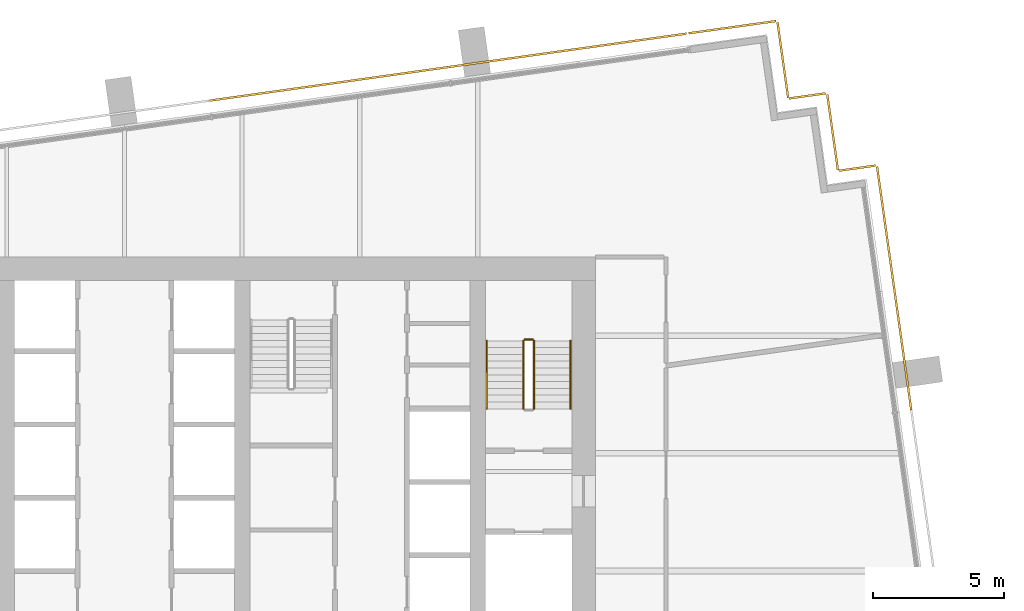
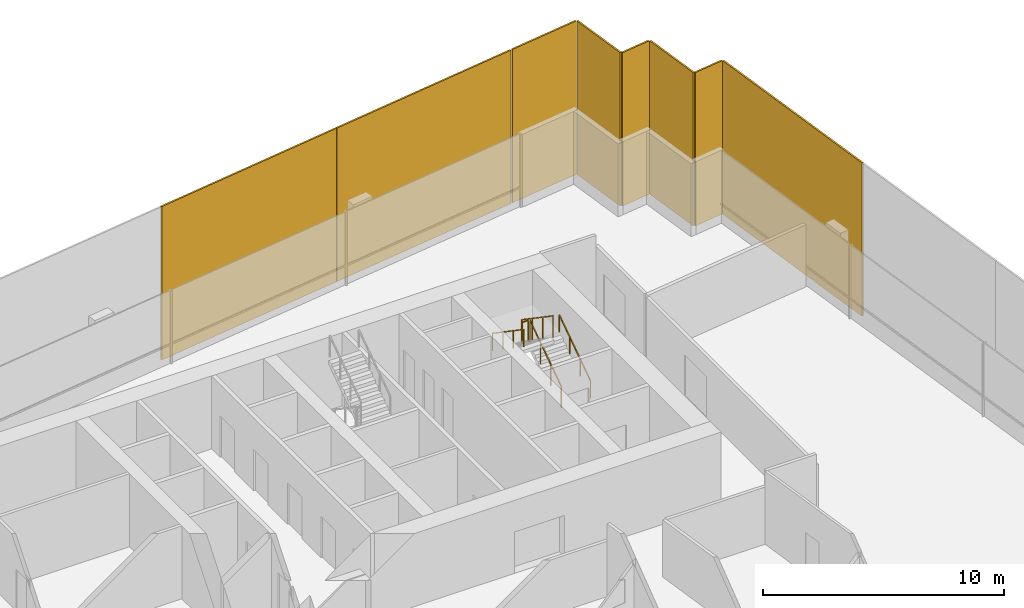
# One storey, part 17 of 17: 8 coverings, 5 railings.
"""IFC4 building model written with IfcOpenShell, lengths in metres."""

from ifc_helpers import new_model, si_unit, direction, frame, origin, origin_2d, place, context, subcontext, project, spatial, rectangle, extrude, material, layer, layer_set, type_object, element, save


model = new_model("IFC4")

# Units and contexts
model_context = context("Model", 3, precision=1e-05, world=origin(), true_north=direction((0.0, 1.0)))
body_context = subcontext(model_context, "Body", "Model", "MODEL_VIEW")
ifc_project = project(units=[si_unit("LENGTHUNIT", "METRE"), si_unit("AREAUNIT", "SQUARE_METRE"), si_unit("VOLUMEUNIT", "CUBIC_METRE"), si_unit("PLANEANGLEUNIT", "RADIAN"), si_unit("MASSUNIT", "GRAM", prefix="KILO")], contexts=[model_context])

# Site, building, storey
site_placement = place(None, origin())
site = spatial("IfcSite", under=ifc_project, at=site_placement, CompositionType="ELEMENT")
building_placement = place(site_placement, origin())
building = spatial("IfcBuilding", under=site, at=building_placement, Name="Rattan Terrace Tower", CompositionType="ELEMENT")
storey_placement = place(building_placement, frame((0.0, 0.0, 213.5)))
storey = spatial("IfcBuildingStorey", under=building, at=storey_placement, Name="L48", CompositionType="ELEMENT", Elevation=213.5)

# Railings
ifc_material_1 = material(Name="Powder-coated steel guard", Category="steel")
railing_type_1 = type_object("IfcRailingType", Name="Core stair guard", PredefinedType="GUARDRAIL", material=ifc_material_1)
railing_1_placement = place(storey_placement, frame((15.64990234375, 1.699951171875, 0.17724609375)))
element("IfcRailing", 1, at=railing_1_placement, inside=storey, type_object=railing_type_1, Name="L48 S2 stair guard 1", PredefinedType="GUARDRAIL", context=body_context, shape_type="SweptSolid", body=[
    extrude(rectangle(XDim=0.048095703125, YDim=0.048095703125, at=origin_2d()), frame((0.0, 0.0, 1.076171875), z_axis=(0.0, 0.826240473404, 0.563317565952), x_axis=(-1.0, 0.0, 0.0)), (0.0, 0.0, 1.0), 3.14697265625),
    extrude(rectangle(XDim=0.0419921875, YDim=0.0419921875, at=origin_2d()), origin(), (0.0, 0.0, 1.0), 1.052001953125),
    extrude(rectangle(XDim=0.0419921875, YDim=0.0419921875, at=origin_2d()), frame((0.0, 0.86669921875, 0.5908203125)), (0.0, 0.0, 1.0), 1.052001953125),
    extrude(rectangle(XDim=0.0419921875, YDim=0.0419921875, at=origin_2d()), frame((0.0, 1.7333984375, 1.181884765625)), (0.0, 0.0, 1.0), 1.052001953125),
    extrude(rectangle(XDim=0.0419921875, YDim=0.0419921875, at=origin_2d()), frame((0.0, 2.60009765625, 1.772705078125)), (0.0, 0.0, 1.0), 1.052001953125),
])
railing_2_placement = place(storey_placement, frame((15.60009765625, 4.35009765625, 1.949951171875)))
element("IfcRailing", 2, at=railing_2_placement, inside=storey, type_object=railing_type_1, Name="L48 S2 stair guard 2", PredefinedType="GUARDRAIL", context=body_context, shape_type="SweptSolid", body=[
    extrude(rectangle(XDim=0.048095703125, YDim=0.048095703125, at=origin_2d()), frame((0.0, 0.0, 1.076171875), z_axis=(-1.0, 0.0, 0.0), x_axis=(0.0, -1.0, 0.0)), (0.0, 0.0, 1.0), 0.300048828125),
    extrude(rectangle(XDim=0.0419921875, YDim=0.0419921875, at=origin_2d()), origin(), (0.0, 0.0, 1.0), 1.052001953125),
    extrude(rectangle(XDim=0.0419921875, YDim=0.0419921875, at=origin_2d()), frame((-0.300048828125, 0.0, 0.0)), (0.0, 0.0, 1.0), 1.052001953125),
])
railing_3_placement = place(storey_placement, frame((15.25, 4.300048828125, 2.127197265625)))
element("IfcRailing", 3, at=railing_3_placement, inside=storey, type_object=railing_type_1, Name="L48 S2 stair guard 3", PredefinedType="GUARDRAIL", context=body_context, shape_type="SweptSolid", body=[
    extrude(rectangle(XDim=0.048095703125, YDim=0.048095703125, at=origin_2d()), frame((0.0, 0.0, 1.076171875), z_axis=(0.0, -0.826240473404, 0.563317565952), x_axis=(1.0, 0.0, 0.0)), (0.0, 0.0, 1.0), 3.14697265625),
    extrude(rectangle(XDim=0.0419921875, YDim=0.0419921875, at=origin_2d()), origin(), (0.0, 0.0, 1.0), 1.052001953125),
    extrude(rectangle(XDim=0.0419921875, YDim=0.0419921875, at=origin_2d()), frame((0.0, -0.86669921875, 0.5908203125)), (0.0, 0.0, 1.0), 1.052001953125),
    extrude(rectangle(XDim=0.0419921875, YDim=0.0419921875, at=origin_2d()), frame((0.0, -1.7333984375, 1.181884765625)), (0.0, 0.0, 1.0), 1.052001953125),
    extrude(rectangle(XDim=0.0419921875, YDim=0.0419921875, at=origin_2d()), frame((0.0, -2.60009765625, 1.772705078125)), (0.0, 0.0, 1.0), 1.052001953125),
])
ifc_material_2 = material(Name="Powder-coated steel handrail", Category="steel")
railing_type_2 = type_object("IfcRailingType", Name="Core stair handrail", PredefinedType="HANDRAIL", material=ifc_material_2)
railing_4_placement = place(storey_placement, frame((17.050048828125, 1.699951171875, 0.17724609375)))
element("IfcRailing", 4, at=railing_4_placement, inside=storey, type_object=railing_type_2, Name="L48 S2 stair handrail 1", PredefinedType="HANDRAIL", context=body_context, shape_type="SweptSolid", body=[
    extrude(rectangle(XDim=0.048095703125, YDim=0.048095703125, at=origin_2d()), frame((0.0, 0.0, 0.8759765625), z_axis=(0.0, 0.826240473404, 0.563317565952), x_axis=(-1.0, 0.0, 0.0)), (0.0, 0.0, 1.0), 3.14697265625),
    extrude(rectangle(XDim=0.0419921875, YDim=0.0419921875, at=origin_2d()), origin(), (0.0, 0.0, 1.0), 0.851806640625),
    extrude(rectangle(XDim=0.0419921875, YDim=0.0419921875, at=origin_2d()), frame((0.0, 0.86669921875, 0.5908203125)), (0.0, 0.0, 1.0), 0.851806640625),
    extrude(rectangle(XDim=0.0419921875, YDim=0.0419921875, at=origin_2d()), frame((0.0, 1.7333984375, 1.181884765625)), (0.0, 0.0, 1.0), 0.851806640625),
    extrude(rectangle(XDim=0.0419921875, YDim=0.0419921875, at=origin_2d()), frame((0.0, 2.60009765625, 1.772705078125)), (0.0, 0.0, 1.0), 0.851806640625),
])
railing_5_placement = place(storey_placement, frame((13.85009765625, 4.300048828125, 2.127197265625)))
element("IfcRailing", 5, at=railing_5_placement, inside=storey, type_object=railing_type_2, Name="L48 S2 stair handrail 2", PredefinedType="HANDRAIL", context=body_context, shape_type="SweptSolid", body=[
    extrude(rectangle(XDim=0.048095703125, YDim=0.048095703125, at=origin_2d()), frame((0.0, 0.0, 0.8759765625), z_axis=(0.0, -0.826240473404, 0.563317565952), x_axis=(1.0, 0.0, 0.0)), (0.0, 0.0, 1.0), 3.14697265625),
    extrude(rectangle(XDim=0.0419921875, YDim=0.0419921875, at=origin_2d()), origin(), (0.0, 0.0, 1.0), 0.851806640625),
    extrude(rectangle(XDim=0.0419921875, YDim=0.0419921875, at=origin_2d()), frame((0.0, -0.86669921875, 0.5908203125)), (0.0, 0.0, 1.0), 0.851806640625),
    extrude(rectangle(XDim=0.0419921875, YDim=0.0419921875, at=origin_2d()), frame((0.0, -1.7333984375, 1.181884765625)), (0.0, 0.0, 1.0), 0.851806640625),
    extrude(rectangle(XDim=0.0419921875, YDim=0.0419921875, at=origin_2d()), frame((0.0, -2.60009765625, 1.772705078125)), (0.0, 0.0, 1.0), 0.851806640625),
])

# Coverings
ifc_material_3 = material(Name="Perforated terracotta", Category="masonry")
ifc_layer = layer(ifc_material_3, 0.080078125)
ifc_layer_set = layer_set([ifc_layer], Name="Facade Terracotta Screen Panel HZ")
covering_type = type_object("IfcCoveringType", Name="Facade Terracotta Screen Panel HZ", PredefinedType="CLADDING", material=ifc_layer_set)
covering_1_placement = place(storey_placement, frame((29.420654296875, 6.302978515625, -0.18994140625), z_axis=(0.0, 0.0, 1.0), x_axis=(-0.139186165309, 0.990266232579, 0.0)))
element("IfcCovering", 6, at=covering_1_placement, inside=storey, type_object=covering_type, Name="OUTER SKIN panel L48-8", PredefinedType="CLADDING", context=body_context, shape_type="SweptSolid", body=[
    extrude(rectangle(XDim=9.39990234375, YDim=0.080078125, at=origin_2d()), origin(), (0.0, 0.0, 1.0), 7.780029296875),
])
covering_2_placement = place(storey_placement, frame((28.007080078125, 10.900634765625, -0.18994140625), z_axis=(0.0, 0.0, 1.0), x_axis=(-0.990240767803, -0.139367219175, 0.0)))
element("IfcCovering", 7, at=covering_2_placement, inside=storey, type_object=covering_type, Name="OUTER SKIN panel L48-9", PredefinedType="CLADDING", context=body_context, shape_type="SweptSolid", body=[
    extrude(rectangle(XDim=1.419677734375, YDim=0.080078125, at=origin_2d()), origin(), (0.0, 0.0, 1.0), 7.780029296875),
])
covering_3_placement = place(storey_placement, frame((27.06689453125, 12.273193359375, -0.18994140625), z_axis=(0.0, 0.0, 1.0), x_axis=(-0.139321220646, 0.990247240581, 0.0)))
element("IfcCovering", 8, at=covering_3_placement, inside=storey, type_object=covering_type, Name="OUTER SKIN panel L48-10", PredefinedType="CLADDING", context=body_context, shape_type="SweptSolid", body=[
    extrude(rectangle(XDim=2.920166015625, YDim=0.080078125, at=origin_2d()), origin(), (0.0, 0.0, 1.0), 7.780029296875),
])
covering_4_placement = place(storey_placement, frame((26.10400390625, 13.662841796875, -0.18994140625), z_axis=(0.0, 0.0, 1.0), x_axis=(-0.990240767803, -0.139367219175, 0.0)))
element("IfcCovering", 9, at=covering_4_placement, inside=storey, type_object=covering_type, Name="OUTER SKIN panel L48-11", PredefinedType="CLADDING", context=body_context, shape_type="SweptSolid", body=[
    extrude(rectangle(XDim=1.419677734375, YDim=0.080078125, at=origin_2d()), origin(), (0.0, 0.0, 1.0), 7.780029296875),
])
covering_5_placement = place(storey_placement, frame((25.163818359375, 15.03515625, -0.18994140625), z_axis=(0.0, 0.0, 1.0), x_axis=(-0.139321220646, 0.990247240581, 0.0)))
element("IfcCovering", 10, at=covering_5_placement, inside=storey, type_object=covering_type, Name="OUTER SKIN panel L48-12", PredefinedType="CLADDING", context=body_context, shape_type="SweptSolid", body=[
    extrude(rectangle(XDim=2.920166015625, YDim=0.080078125, at=origin_2d()), origin(), (0.0, 0.0, 1.0), 7.780029296875),
])
covering_6_placement = place(storey_placement, frame((23.2353515625, 16.289306640625, -0.18994140625), z_axis=(0.0, 0.0, 1.0), x_axis=(-0.990293172258, -0.138994363123, 0.0)))
element("IfcCovering", 11, at=covering_6_placement, inside=storey, type_object=covering_type, Name="OUTER SKIN panel L48-13", PredefinedType="CLADDING", context=body_context, shape_type="SweptSolid", body=[
    extrude(rectangle(XDim=3.3701171875, YDim=0.080078125, at=origin_2d()), origin(), (0.0, 0.0, 1.0), 7.780029296875),
])
covering_7_placement = place(storey_placement, frame((16.941650390625, 15.405029296875, -0.18994140625), z_axis=(0.0, 0.0, 1.0), x_axis=(-0.990267457022, -0.139177453499, 0.0)))
element("IfcCovering", 12, at=covering_7_placement, inside=storey, type_object=covering_type, Name="OUTER SKIN panel L48-14", PredefinedType="CLADDING", context=body_context, shape_type="SweptSolid", body=[
    extrude(rectangle(XDim=9.18115234375, YDim=0.080078125, at=origin_2d()), origin(), (0.0, 0.0, 1.0), 7.780029296875),
])
covering_8_placement = place(storey_placement, frame((7.815185546875, 14.122314453125, -0.18994140625), z_axis=(0.0, 0.0, 1.0), x_axis=(-0.990267457022, -0.139177453499, 0.0)))
element("IfcCovering", 13, at=covering_8_placement, inside=storey, type_object=covering_type, Name="OUTER SKIN panel L48-15", PredefinedType="CLADDING", context=body_context, shape_type="SweptSolid", body=[
    extrude(rectangle(XDim=9.2109375, YDim=0.080078125, at=origin_2d()), origin(), (0.0, 0.0, 1.0), 7.780029296875),
])

save(model, "model.ifc")
